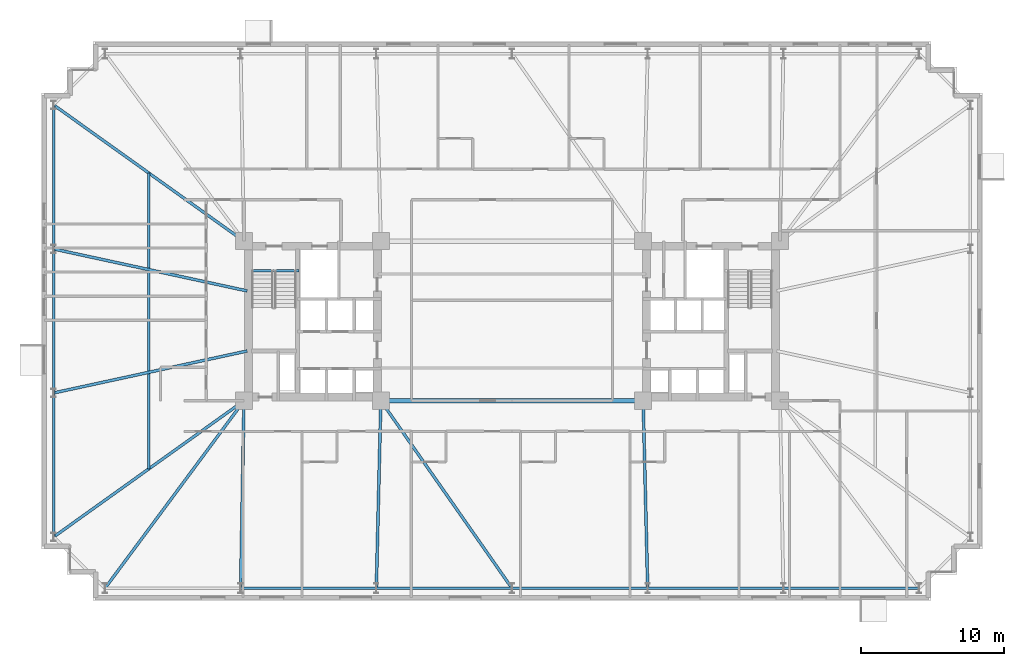
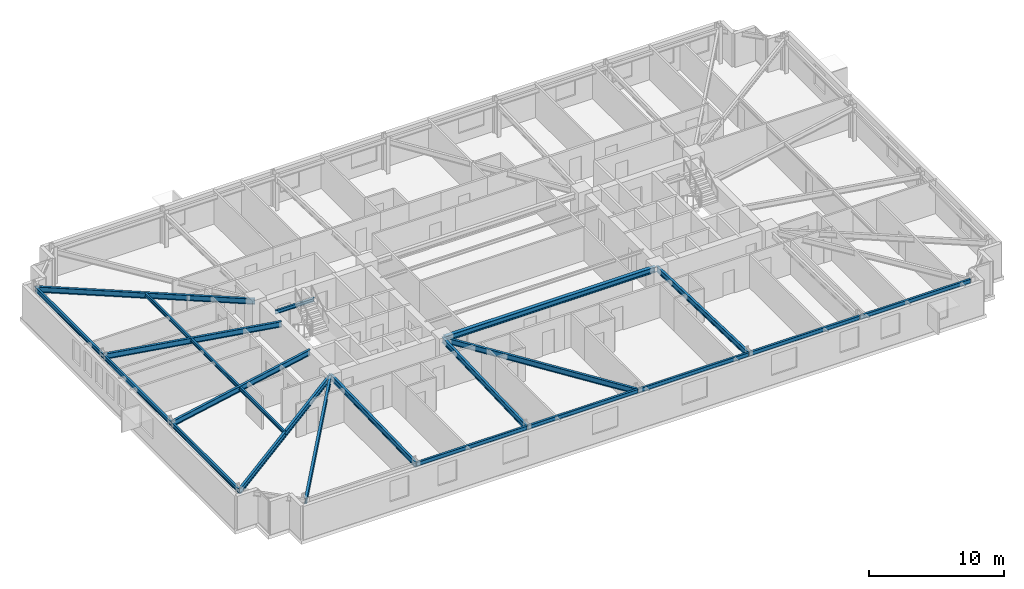
# One storey, part 5 of 21: 20 beams.
"""IFC4 building model written with IfcOpenShell, lengths in metres."""

from ifc_helpers import new_model, si_unit, direction, frame, origin, origin_2d, place, context, subcontext, project, spatial, i_section, extrude, material, material_profile, profile_set, type_object, element, save


model = new_model("IFC4")

# Units and contexts
model_context = context("Model", 3, precision=1e-05, world=origin(), true_north=direction((0.0, 1.0)))
body_context = subcontext(model_context, "Body", "Model", "MODEL_VIEW")
ifc_project = project(units=[si_unit("LENGTHUNIT", "METRE"), si_unit("AREAUNIT", "SQUARE_METRE"), si_unit("VOLUMEUNIT", "CUBIC_METRE"), si_unit("PLANEANGLEUNIT", "RADIAN"), si_unit("MASSUNIT", "GRAM", prefix="KILO")], contexts=[model_context])

# Site, building, storey
site_placement = place(None, origin())
site = spatial("IfcSite", under=ifc_project, at=site_placement, CompositionType="ELEMENT")
building_placement = place(site_placement, origin())
building = spatial("IfcBuilding", under=site, at=building_placement, Name="Qobustan Lattice House", CompositionType="ELEMENT")
storey_placement = place(building_placement, frame((0.0, 0.0, 37.050048828125)))
storey = spatial("IfcBuildingStorey", under=building, at=storey_placement, Name="L09", CompositionType="ELEMENT", Elevation=37.050048828125)

# Beams
ifc_material_1 = material(Name="Steel S355", Category="steel")
ifc_material_profile_1 = material_profile(ifc_material_1, i_section(OverallWidth=0.300048828125, OverallDepth=0.5, WebThickness=0.014404296875, FlangeThickness=0.028076171875, FilletRadius=0.027099609375, at=origin_2d()), Name="HEB500")
ifc_profile_set_1 = profile_set([ifc_material_profile_1], Name="Steel S355")
beam_type_1 = type_object("IfcBeamType", Name="BM-CG-HEB500", PredefinedType="USERDEFINED", material=ifc_profile_set_1)
beam_1_placement = place(storey_placement, frame((-9.050048828125, -5.60009765625, 2.784912109375), z_axis=(1.0, 0.0, 0.0), x_axis=(0.0, 1.0, 0.0)))
element("IfcBeam", 1, at=beam_1_placement, inside=storey, type_object=beam_type_1, Name="L09 core spine girder CG-CS", ObjectType="GIRDER", PredefinedType="USERDEFINED", context=body_context, shape_type="SweptSolid", body=[
    extrude(i_section(OverallWidth=0.300048828125, OverallDepth=0.5, WebThickness=0.014404296875, FlangeThickness=0.028076171875, FilletRadius=0.027099609375, at=origin_2d()), origin(), (0.0, 0.0, 1.0), 18.10009765625),
])
ifc_material_2 = material(Name="Steel S355", Category="steel")
ifc_material_profile_2 = material_profile(ifc_material_2, i_section(OverallWidth=0.199951171875, OverallDepth=0.5, WebThickness=0.01025390625, FlangeThickness=0.01611328125, FilletRadius=0.02099609375, at=origin_2d()), Name="IPE500")
ifc_profile_set_2 = profile_set([ifc_material_profile_2], Name="Steel S355")
beam_type_2 = type_object("IfcBeamType", Name="BM-FLG-IPE500", PredefinedType="USERDEFINED", material=ifc_profile_set_2)
beam_2_placement = place(storey_placement, frame((-28.53515625, -18.72998046875, 2.784912109375), z_axis=(0.5955916815, 0.803287338956, 0.0), x_axis=(-0.803287338956, 0.5955916815, 0.0)))
element("IfcBeam", 2, at=beam_2_placement, inside=storey, type_object=beam_type_2, Name="L09 primary floor girder RAD-S1W", ObjectType="GIRDER", PredefinedType="USERDEFINED", context=body_context, shape_type="SweptSolid", body=[
    extrude(i_section(OverallWidth=0.199951171875, OverallDepth=0.5, WebThickness=0.01025390625, FlangeThickness=0.01611328125, FilletRadius=0.02099609375, at=origin_2d()), origin(), (0.0, 0.0, 1.0), 16.3203125),
])
beam_3_placement = place(storey_placement, frame((-19.032958984375, -18.72509765625, 2.784912109375), z_axis=(0.017757831607, 0.999842317276, 0.0), x_axis=(-0.999842317276, 0.017757831607, 0.0)))
element("IfcBeam", 3, at=beam_3_placement, inside=storey, type_object=beam_type_2, Name="L09 primary floor girder RAD-S2", ObjectType="GIRDER", PredefinedType="USERDEFINED", context=body_context, shape_type="SweptSolid", body=[
    extrude(i_section(OverallWidth=0.199951171875, OverallDepth=0.5, WebThickness=0.01025390625, FlangeThickness=0.01611328125, FilletRadius=0.02099609375, at=origin_2d()), origin(), (0.0, 0.0, 1.0), 13.10205078125),
])
beam_4_placement = place(storey_placement, frame((-9.51611328125, -18.72509765625, 2.784912109375), z_axis=(0.024071445657, 0.999710240772, 0.0), x_axis=(-0.999710240772, 0.024071445657, 0.0)))
element("IfcBeam", 4, at=beam_4_placement, inside=storey, type_object=beam_type_2, Name="L09 primary floor girder RAD-S3", ObjectType="GIRDER", PredefinedType="USERDEFINED", context=body_context, shape_type="SweptSolid", body=[
    extrude(i_section(OverallWidth=0.199951171875, OverallDepth=0.5, WebThickness=0.01025390625, FlangeThickness=0.01611328125, FilletRadius=0.02099609375, at=origin_2d()), origin(), (0.0, 0.0, 1.0), 13.10400390625),
])
beam_5_placement = place(storey_placement, frame((-0.014404296875, -18.7294921875, 2.784912109375), z_axis=(-0.57325954206, 0.819373844736, 0.0), x_axis=(-0.819373844736, -0.57325954206, 0.0)))
element("IfcBeam", 5, at=beam_5_placement, inside=storey, type_object=beam_type_2, Name="L09 primary floor girder RAD-S4", ObjectType="GIRDER", PredefinedType="USERDEFINED", context=body_context, shape_type="SweptSolid", body=[
    extrude(i_section(OverallWidth=0.199951171875, OverallDepth=0.5, WebThickness=0.01025390625, FlangeThickness=0.01611328125, FilletRadius=0.02099609375, at=origin_2d()), origin(), (0.0, 0.0, 1.0), 15.998779296875),
])
beam_6_placement = place(storey_placement, frame((9.51611328125, -18.72509765625, 2.784912109375), z_axis=(-0.024071445657, 0.999710240772, 0.0), x_axis=(-0.999710240772, -0.024071445657, 0.0)))
element("IfcBeam", 6, at=beam_6_placement, inside=storey, type_object=beam_type_2, Name="L09 primary floor girder RAD-S5", ObjectType="GIRDER", PredefinedType="USERDEFINED", context=body_context, shape_type="SweptSolid", body=[
    extrude(i_section(OverallWidth=0.199951171875, OverallDepth=0.5, WebThickness=0.01025390625, FlangeThickness=0.01611328125, FilletRadius=0.02099609375, at=origin_2d()), origin(), (0.0, 0.0, 1.0), 13.10400390625),
])
beam_7_placement = place(storey_placement, frame((-32.129638671875, 15.135498046875, 2.784912109375), z_axis=(0.813318954893, -0.581818079481, 0.0), x_axis=(0.581818079481, 0.813318954893, 0.0)))
element("IfcBeam", 7, at=beam_7_placement, inside=storey, type_object=beam_type_2, Name="L09 primary floor girder RAD-W1", ObjectType="GIRDER", PredefinedType="USERDEFINED", context=body_context, shape_type="SweptSolid", body=[
    extrude(i_section(OverallWidth=0.199951171875, OverallDepth=0.5, WebThickness=0.01025390625, FlangeThickness=0.01611328125, FilletRadius=0.02099609375, at=origin_2d()), origin(), (0.0, 0.0, 1.0), 16.3642578125),
])
for number, where, z_axis, x_axis, name in (
    (8, (-32.12548828125, 5.044677734375, 2.784912109375), (0.97727240275, -0.211987383643, 0.0), (0.211987383643, 0.97727240275, 0.0), "L09 primary floor girder RAD-W2"),
    (9, (-32.12548828125, -5.044677734375, 2.784912109375), (0.97727240275, 0.211987383643, 0.0), (-0.211987383643, 0.97727240275, 0.0), "L09 primary floor girder RAD-W3"),
):
    element("IfcBeam", number, at=place(storey_placement, frame(where, z_axis=z_axis, x_axis=x_axis)), inside=storey, type_object=beam_type_2, Name=name, ObjectType="GIRDER", PredefinedType="USERDEFINED", context=body_context, shape_type="SweptSolid", body=[
        extrude(i_section(OverallWidth=0.199951171875, OverallDepth=0.5, WebThickness=0.01025390625, FlangeThickness=0.01611328125, FilletRadius=0.02099609375, at=origin_2d()), origin(), (0.0, 0.0, 1.0), 13.8662109375),
    ])
beam_8_placement = place(storey_placement, frame((-32.129638671875, -15.135498046875, 2.784912109375), z_axis=(0.813318954893, 0.581818079481, 0.0), x_axis=(-0.581818079481, 0.813318954893, 0.0)))
element("IfcBeam", 10, at=beam_8_placement, inside=storey, type_object=beam_type_2, Name="L09 primary floor girder RAD-W4", ObjectType="GIRDER", PredefinedType="USERDEFINED", context=body_context, shape_type="SweptSolid", body=[
    extrude(i_section(OverallWidth=0.199951171875, OverallDepth=0.5, WebThickness=0.01025390625, FlangeThickness=0.01611328125, FilletRadius=0.02099609375, at=origin_2d()), origin(), (0.0, 0.0, 1.0), 16.3642578125),
])
ifc_material_3 = material(Name="Steel S355", Category="steel")
ifc_material_profile_3 = material_profile(ifc_material_3, i_section(OverallWidth=0.159912109375, OverallDepth=0.330078125, WebThickness=0.007568359375, FlangeThickness=0.011474609375, FilletRadius=0.01806640625, at=origin_2d()), Name="IPE330")
ifc_profile_set_3 = profile_set([ifc_material_profile_3], Name="Steel S355")
beam_type_3 = type_object("IfcBeamType", Name="BM-SEC-IPE330", PredefinedType="BEAM", material=ifc_profile_set_3)
beam_9_placement = place(storey_placement, frame((-25.47509765625, 10.375, 2.869873046875), z_axis=(0.0, -1.0, 0.0), x_axis=(1.0, 0.0, 0.0)))
element("IfcBeam", 11, at=beam_9_placement, inside=storey, type_object=beam_type_3, Name="L09 west wing secondary beam", PredefinedType="BEAM", context=body_context, shape_type="SweptSolid", body=[
    extrude(i_section(OverallWidth=0.159912109375, OverallDepth=0.330078125, WebThickness=0.007568359375, FlangeThickness=0.011474609375, FilletRadius=0.01806640625, at=origin_2d()), origin(), (0.0, 0.0, 1.0), 20.75),
])
ifc_material_4 = material(Name="Steel S355", Category="steel")
ifc_material_profile_4 = material_profile(ifc_material_4, i_section(OverallWidth=0.159912109375, OverallDepth=0.330078125, WebThickness=0.007568359375, FlangeThickness=0.011474609375, FilletRadius=0.01806640625, at=origin_2d()), Name="IPE330")
ifc_profile_set_4 = profile_set([ifc_material_profile_4], Name="Steel S355")
beam_type_4 = type_object("IfcBeamType", Name="BM-SPD-IPE330", PredefinedType="SPANDREL", material=ifc_profile_set_4)
beam_10_placement = place(storey_placement, frame((-18.300048828125, 3.52001953125, 2.869873046875), z_axis=(1.0, 0.0, 0.0), x_axis=(0.0, 1.0, 0.0)))
element("IfcBeam", 12, at=beam_10_placement, inside=storey, type_object=beam_type_4, Name="L09 west stair landing trimmer beam", PredefinedType="SPANDREL", context=body_context, shape_type="SweptSolid", body=[
    extrude(i_section(OverallWidth=0.159912109375, OverallDepth=0.330078125, WebThickness=0.007568359375, FlangeThickness=0.011474609375, FilletRadius=0.01806640625, at=origin_2d()), origin(), (0.0, 0.0, 1.0), 3.35009765625),
])
ifc_material_5 = material(Name="Steel S355", Category="steel")
ifc_material_profile_5 = material_profile(ifc_material_5, i_section(OverallWidth=0.179931640625, OverallDepth=0.39990234375, WebThickness=0.008544921875, FlangeThickness=0.013427734375, FilletRadius=0.02099609375, at=origin_2d()), Name="IPE400")
ifc_profile_set_5 = profile_set([ifc_material_profile_5], Name="Steel S355")
beam_type_5 = type_object("IfcBeamType", Name="BM-SPD-IPE400", PredefinedType="SPANDREL", material=ifc_profile_set_5)
beam_11_placement = place(storey_placement, frame((-19.00830078125, -18.75, 2.8349609375), z_axis=(1.0, 0.0, 0.0), x_axis=(0.0, 1.0, 0.0)))
element("IfcBeam", 13, at=beam_11_placement, inside=storey, type_object=beam_type_5, Name="L09 perimeter spandrel S2-S3", PredefinedType="SPANDREL", context=body_context, shape_type="SweptSolid", body=[
    extrude(i_section(OverallWidth=0.179931640625, OverallDepth=0.39990234375, WebThickness=0.008544921875, FlangeThickness=0.013427734375, FilletRadius=0.02099609375, at=origin_2d()), origin(), (0.0, 0.0, 1.0), 9.466552734375),
])
for number, where, z_axis, x_axis, name in (
    (14, (-9.49169921875, -18.75, 2.8349609375), (1.0, 0.0, 0.0), (0.0, 1.0, 0.0), "L09 perimeter spandrel S3-S4"),
    (15, (0.02490234375, -18.75, 2.8349609375), (1.0, 0.0, 0.0), (0.0, 1.0, 0.0), "L09 perimeter spandrel S4-S5"),
):
    element("IfcBeam", number, at=place(storey_placement, frame(where, z_axis=z_axis, x_axis=x_axis)), inside=storey, type_object=beam_type_5, Name=name, PredefinedType="SPANDREL", context=body_context, shape_type="SweptSolid", body=[
        extrude(i_section(OverallWidth=0.179931640625, OverallDepth=0.39990234375, WebThickness=0.008544921875, FlangeThickness=0.013427734375, FilletRadius=0.02099609375, at=origin_2d()), origin(), (0.0, 0.0, 1.0), 9.466796875),
    ])
for number, where, z_axis, x_axis, name in (
    (16, (9.541748046875, -18.75, 2.8349609375), (1.0, 0.0, 0.0), (0.0, 1.0, 0.0), "L09 perimeter spandrel S5-S6"),
    (17, (19.058349609375, -18.75, 2.8349609375), (1.0, 0.0, 0.0), (0.0, 1.0, 0.0), "L09 perimeter spandrel S6-S7"),
):
    element("IfcBeam", number, at=place(storey_placement, frame(where, z_axis=z_axis, x_axis=x_axis)), inside=storey, type_object=beam_type_5, Name=name, PredefinedType="SPANDREL", context=body_context, shape_type="SweptSolid", body=[
        extrude(i_section(OverallWidth=0.179931640625, OverallDepth=0.39990234375, WebThickness=0.008544921875, FlangeThickness=0.013427734375, FilletRadius=0.02099609375, at=origin_2d()), origin(), (0.0, 0.0, 1.0), 9.466552734375),
    ])
beam_12_placement = place(storey_placement, frame((-32.14990234375, 15.125, 2.8349609375), z_axis=(0.0, -1.0, 0.0), x_axis=(1.0, 0.0, 0.0)))
element("IfcBeam", 18, at=beam_12_placement, inside=storey, type_object=beam_type_5, Name="L09 perimeter spandrel W1-W2", PredefinedType="SPANDREL", context=body_context, shape_type="SweptSolid", body=[
    extrude(i_section(OverallWidth=0.179931640625, OverallDepth=0.39990234375, WebThickness=0.008544921875, FlangeThickness=0.013427734375, FilletRadius=0.02099609375, at=origin_2d()), origin(), (0.0, 0.0, 1.0), 10.050048828125),
])
beam_13_placement = place(storey_placement, frame((-32.14990234375, 5.02490234375, 2.8349609375), z_axis=(0.0, -1.0, 0.0), x_axis=(1.0, 0.0, 0.0)))
element("IfcBeam", 19, at=beam_13_placement, inside=storey, type_object=beam_type_5, Name="L09 perimeter spandrel W2-W3", PredefinedType="SPANDREL", context=body_context, shape_type="SweptSolid", body=[
    extrude(i_section(OverallWidth=0.179931640625, OverallDepth=0.39990234375, WebThickness=0.008544921875, FlangeThickness=0.013427734375, FilletRadius=0.02099609375, at=origin_2d()), origin(), (0.0, 0.0, 1.0), 10.0498046875),
])
beam_14_placement = place(storey_placement, frame((-32.14990234375, -5.074951171875, 2.8349609375), z_axis=(0.0, -1.0, 0.0), x_axis=(1.0, 0.0, 0.0)))
element("IfcBeam", 20, at=beam_14_placement, inside=storey, type_object=beam_type_5, Name="L09 perimeter spandrel W3-W4", PredefinedType="SPANDREL", context=body_context, shape_type="SweptSolid", body=[
    extrude(i_section(OverallWidth=0.179931640625, OverallDepth=0.39990234375, WebThickness=0.008544921875, FlangeThickness=0.013427734375, FilletRadius=0.02099609375, at=origin_2d()), origin(), (0.0, 0.0, 1.0), 10.050048828125),
])

save(model, "model.ifc")
